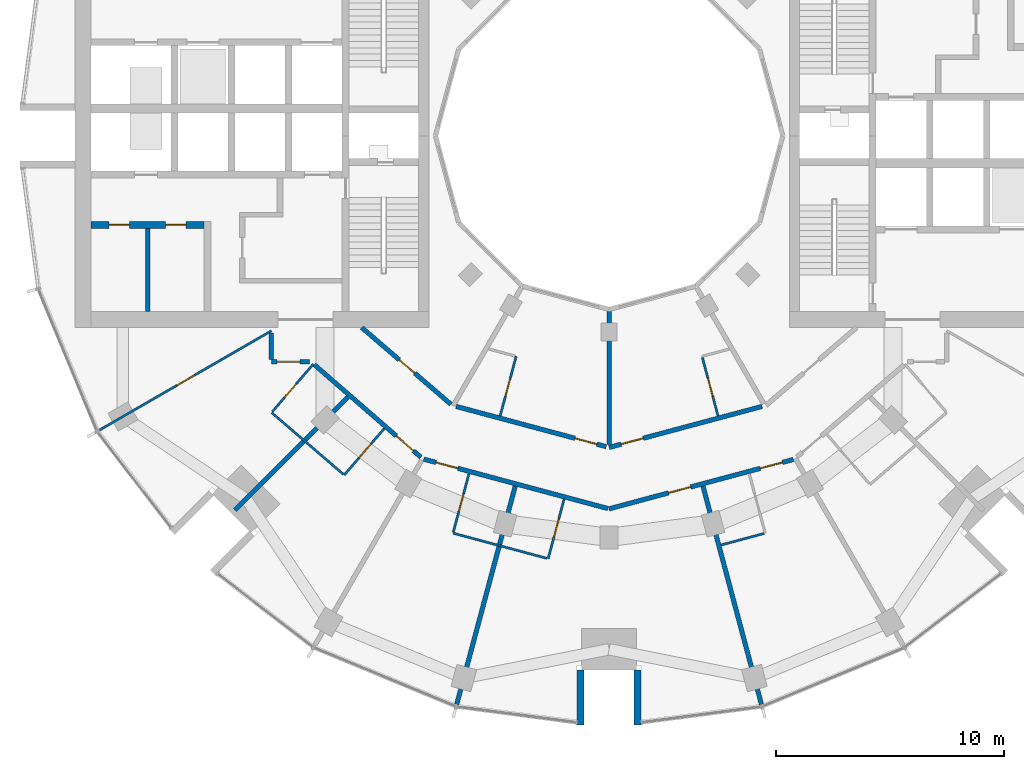
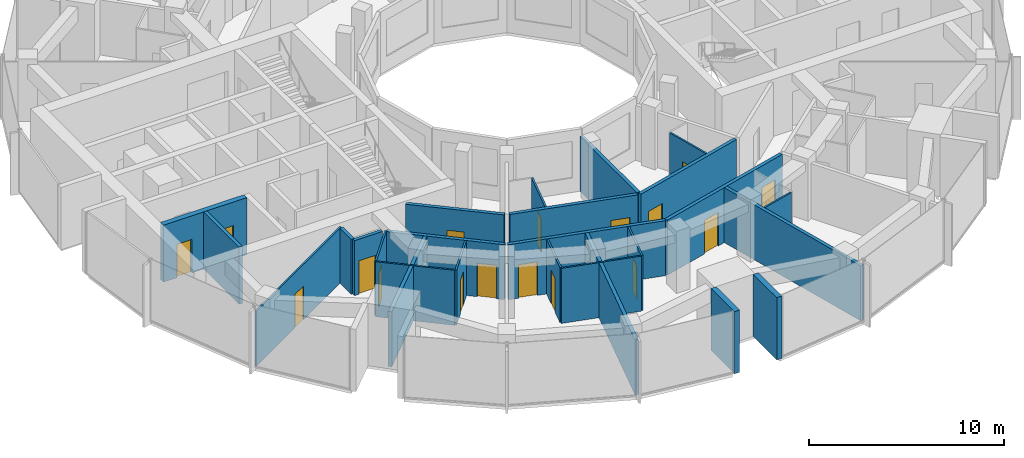
# One storey, part 8 of 15: 26 walls, 17 doors, 17 openings.
"""IFC4 building model written with IfcOpenShell, lengths in metres."""

import ifcopenshell
import ifcopenshell.guid

model = None  # the IFC model being written
_history = None  # IfcOwnerHistory: only IFC2X3 demands one
_inside = {}  # id of a spatial element -> (the spatial element, [elements in it])
_under = {}  # id of a project, library or spatial element -> (it, [spatial elements below it])
_declared = {}  # id of a project -> (the project, [libraries it declares])
_typed = {}  # id of a type object -> (the type object, [elements of that type])
_made_of = {}  # id of a material, layer set ... -> (it, [elements and type objects made of it])


def new_model(schema):
    """Start an empty IFC model of exactly this schema.

    Asked for "IFC4X3", IfcOpenShell would pick the latest addendum, in which some entities
    have other attributes; the version numbers below select the first issue.
    IFC2X3 requires an IfcOwnerHistory on every rooted entity: one is made here for all.
    """
    global model, _history
    if schema == "IFC4X3":
        model = ifcopenshell.file(schema_version=(4, 3, 0, 0))
    else:
        model = ifcopenshell.file(schema=schema)
    _inside.clear()
    _under.clear()
    _declared.clear()
    _typed.clear()
    _made_of.clear()
    _history = None
    if model.schema == "IFC2X3":
        org = make("IfcOrganization", Name="unknown")
        user = make(
            "IfcPersonAndOrganization",
            ThePerson=make("IfcPerson", FamilyName="unknown"),
            TheOrganization=org,
        )
        app = make(
            "IfcApplication",
            ApplicationDeveloper=org,
            Version="unknown",
            ApplicationFullName="unknown",
            ApplicationIdentifier="unknown",
        )
        _history = make(
            "IfcOwnerHistory",
            OwningUser=user,
            OwningApplication=app,
            ChangeAction="ADDED",
            CreationDate=0,
        )
    return model


def make(cls, **values):
    """One entity of the class cls with the attributes given. An attribute that is None is left unset."""
    return model.create_entity(
        cls, **{name: value for name, value in values.items() if value is not None}
    )


def rooted(cls, **values):
    """An entity with a GlobalId (a new one), such as an element, a storey or a relation."""
    return make(cls, GlobalId=ifcopenshell.guid.new(), OwnerHistory=_history, **values)


def si_unit(unit_type, name, prefix=None):
    """IfcSIUnit, for example si_unit("LENGTHUNIT", "METRE", prefix="MILLI")."""
    return make("IfcSIUnit", UnitType=unit_type, Prefix=prefix, Name=name)


def assignment(units):
    """IfcUnitAssignment: the units of a project."""
    return None if units is None else make("IfcUnitAssignment", Units=units)


def point(xyz):
    """IfcCartesianPoint."""
    return None if xyz is None else make("IfcCartesianPoint", Coordinates=xyz)


def direction(xyz):
    """IfcDirection."""
    return None if xyz is None else make("IfcDirection", DirectionRatios=xyz)


def frame(location, z_axis=None, x_axis=None):
    """IfcAxis2Placement3D, a coordinate frame: its origin and axes. An axis left out is left unset."""
    return make(
        "IfcAxis2Placement3D",
        Location=point(location),
        Axis=direction(z_axis),
        RefDirection=direction(x_axis),
    )


def frame_2d(location, x_axis=None):
    """IfcAxis2Placement2D, a coordinate frame in the plane: its origin and x axis."""
    return make(
        "IfcAxis2Placement2D", Location=point(location), RefDirection=direction(x_axis)
    )


def origin():
    """The frame at (0, 0, 0) with its axes left unset."""
    return frame((0.0, 0.0, 0.0))


def place(relative_to, where):
    """IfcLocalPlacement: puts the frame where relative to a parent placement (None: the world)."""
    return make(
        "IfcLocalPlacement", PlacementRelTo=relative_to, RelativePlacement=where
    )


def context(
    kind, dimensions, precision=None, world=None, true_north=None, identifier=None
):
    """IfcGeometricRepresentationContext, for example the 3D "Model" context."""
    return make(
        "IfcGeometricRepresentationContext",
        ContextIdentifier=identifier,
        ContextType=kind,
        CoordinateSpaceDimension=dimensions,
        Precision=precision,
        WorldCoordinateSystem=world,
        TrueNorth=true_north,
    )


def subcontext(parent, identifier, kind, view, scale=None):
    """IfcGeometricRepresentationSubContext, for example "Body" below "Model"."""
    return make(
        "IfcGeometricRepresentationSubContext",
        ContextIdentifier=identifier,
        ContextType=kind,
        ParentContext=parent,
        TargetScale=scale,
        TargetView=view,
    )


def project(units=None, contexts=None):
    """IfcProject with its units and contexts."""
    return rooted(
        "IfcProject",
        Name="project",
        RepresentationContexts=contexts,
        UnitsInContext=assignment(units),
    )


def spatial(cls, under=None, at=None, **own):
    """A site, building, storey or space (cls), placed at a placement, below another one or the project."""
    s = rooted(cls, ObjectPlacement=at, **own)
    if under is not None:
        _under.setdefault(under.id(), (under, []))[1].append(s)
    return s


def profile(cls, at=None, kind="AREA", **sizes):
    """A parametric profile (cls). Its sizes go by their IFC names, for example OverallWidth=200.0."""
    return make(cls, ProfileType=kind, Position=at, **sizes)


def rectangle(**sizes):
    """IfcRectangleProfileDef."""
    return profile("IfcRectangleProfileDef", **sizes)


def extrude(swept, where, along, depth):
    """IfcExtrudedAreaSolid: the profile swept, set in the frame where, extruded along a direction by depth."""
    return make(
        "IfcExtrudedAreaSolid",
        SweptArea=swept,
        Position=where,
        ExtrudedDirection=direction(along),
        Depth=depth,
    )


def shape(context_of_items, identifier, shape_type, items):
    """IfcShapeRepresentation: the items that make up one representation, for example the "Body"."""
    return make(
        "IfcShapeRepresentation",
        ContextOfItems=context_of_items,
        RepresentationIdentifier=identifier,
        RepresentationType=shape_type,
        Items=items,
    )


def material(Name=None, Category=None):
    """IfcMaterial."""
    return make("IfcMaterial", Name=Name, Category=Category)


def layer(
    of_material, thickness, ventilated=None, Name=None, Category=None, Priority=None
):
    """IfcMaterialLayer: one layer of a wall or slab, of a material (None: an air gap)."""
    return make(
        "IfcMaterialLayer",
        Material=of_material,
        LayerThickness=thickness,
        IsVentilated=ventilated,
        Name=Name,
        Category=Category,
        Priority=Priority,
    )


def layer_set(layers, Name=None):
    """IfcMaterialLayerSet."""
    return make("IfcMaterialLayerSet", MaterialLayers=layers, LayerSetName=Name)


def made_of(thing, what):
    """Note that an element or type object is made of a material, layer set ...; save() writes the relation."""
    if what is not None:
        _made_of.setdefault(what.id(), (what, []))[1].append(thing)
    return thing


def type_object(cls, material=None, **own):
    """A type object (cls), such as IfcWallType, which elements share."""
    return made_of(rooted(cls, **own), material)


def element(
    cls,
    number,
    at=None,
    inside=None,
    cuts=None,
    type_object=None,
    material=None,
    context=None,
    identifier="Body",
    shape_type=None,
    held_by="IfcProductDefinitionShape",
    body=None,
    shapes=None,
    **own,
):
    """One element of the class cls, such as IfcWall. Its Tag is "e" and its number.

    at: its placement. inside: the storey or other place that contains it. cuts: it is an
    opening in that element (IfcRelVoidsElement). A single representation is given by context,
    identifier, shape_type and body (its items); several are given by shapes. held_by: the class
    of the entity that holds the representations. save() writes the other relations.
    """
    e = rooted(cls, Tag="e%d" % number, ObjectPlacement=at, **own)
    if body is not None:
        shapes = [shape(context, identifier, shape_type, body)]
    if shapes is not None:
        e.Representation = make(held_by, Representations=shapes)
    if inside is not None:
        _inside.setdefault(inside.id(), (inside, []))[1].append(e)
    if cuts is not None:
        rooted(
            "IfcRelVoidsElement", RelatingBuildingElement=cuts, RelatedOpeningElement=e
        )
    if type_object is not None:
        _typed.setdefault(type_object.id(), (type_object, []))[1].append(e)
    return made_of(e, material)


def fill(opening, filler):
    """IfcRelFillsElement: the door or window that sits in an opening."""
    return rooted(
        "IfcRelFillsElement",
        RelatingOpeningElement=opening,
        RelatedBuildingElement=filler,
    )


def aggregate(whole, parts):
    """IfcRelAggregates: a whole, such as a stair, and the parts it consists of."""
    return rooted("IfcRelAggregates", RelatingObject=whole, RelatedObjects=parts)


def save(model, path):
    """Write the relations noted so far, then the file.

    IfcRelAggregates (storeys below a building ...), IfcRelContainedInSpatialStructure (elements
    in a storey), IfcRelDefinesByType, IfcRelAssociatesMaterial and IfcRelDeclares: one each for
    every whole, place, type object, material and project.
    """
    for whole, parts in _under.values():
        aggregate(whole, parts)
    for where, things in _inside.values():
        rooted(
            "IfcRelContainedInSpatialStructure",
            RelatedElements=things,
            RelatingStructure=where,
        )
    for kind, things in _typed.values():
        rooted("IfcRelDefinesByType", RelatedObjects=things, RelatingType=kind)
    for what, things in _made_of.values():
        rooted("IfcRelAssociatesMaterial", RelatedObjects=things, RelatingMaterial=what)
    for by, libraries in _declared.values():
        rooted("IfcRelDeclares", RelatingContext=by, RelatedDefinitions=libraries)
    model.write(path)


model = new_model("IFC4")

# Units and contexts
model_context = context("Model", 3, precision=1e-05, world=origin(), true_north=direction((0.0, 1.0)))
body_context = subcontext(model_context, "Body", "Model", "MODEL_VIEW")
ifc_project = project(units=[si_unit("LENGTHUNIT", "METRE"), si_unit("AREAUNIT", "SQUARE_METRE"), si_unit("VOLUMEUNIT", "CUBIC_METRE"), si_unit("PLANEANGLEUNIT", "RADIAN"), si_unit("MASSUNIT", "GRAM", prefix="KILO")], contexts=[model_context])

# Site, building, storey
site_placement = place(None, origin())
site = spatial("IfcSite", under=ifc_project, at=site_placement, CompositionType="ELEMENT")
building_placement = place(site_placement, origin())
building = spatial("IfcBuilding", under=site, at=building_placement, Name="Torre Brocal", CompositionType="ELEMENT")
storey_placement = place(building_placement, frame((0.0, 0.0, 122.39990234375)))
storey = spatial("IfcBuildingStorey", under=building, at=storey_placement, Name="L28", CompositionType="ELEMENT", Elevation=122.39990234375)

# Wall
ifc_material_1 = material(Name="Masonry block", Category="masonry")
ifc_layer_1 = layer(ifc_material_1, 0.199951171875)
ifc_layer_set_1 = layer_set([ifc_layer_1], Name="Masonry block")
wall_type_1 = type_object("IfcWallType", Name="CORE PARTITION 200", PredefinedType="PARTITIONING", material=ifc_layer_set_1)
wall_1_placement = place(storey_placement, frame((59.77490234375, 70.949951171875, 0.0), z_axis=(0.0, 0.0, 1.0), x_axis=(0.0, -1.0, 0.0)))
element("IfcWall", 1, at=wall_1_placement, inside=storey, type_object=wall_type_1, Name="Wall CP200", PredefinedType="PARTITIONING", context=body_context, shape_type="SweptSolid", body=[
    extrude(rectangle(XDim=3.64990234375, YDim=0.199951171875, at=frame_2d((1.824951171875, 0.0))), origin(), (0.0, 0.0, 1.0), 3.580078125),
])

# Wall, openings, doors
ifc_material_2 = material(Name="Concrete C70", Category="concrete")
ifc_layer_2 = layer(ifc_material_2, 0.300048828125)
ifc_layer_set_2 = layer_set([ifc_layer_2], Name="Concrete C70")
wall_type_2 = type_object("IfcWallType", Name="CORE WALL 300 C70", PredefinedType="SHEAR", material=ifc_layer_set_2)
wall_2_placement = place(storey_placement, frame((62.25, 71.10009765625, 0.0), z_axis=(0.0, 0.0, 1.0), x_axis=(-1.0, 0.0, 0.0)))
wall_2 = element("IfcWall", 2, at=wall_2_placement, inside=storey, type_object=wall_type_2, Name="Wall CW300-70", PredefinedType="SHEAR", context=body_context, shape_type="SweptSolid", body=[
    extrude(rectangle(XDim=4.949951171875, YDim=0.300048828125, at=frame_2d((2.47509765625, 0.0))), origin(), (0.0, 0.0, 1.0), 3.580078125),
])
opening_1_placement = place(wall_2_placement, frame((0.78759765625, 0.0, 0.0)))
opening_1 = element("IfcOpeningElement", 3, at=opening_1_placement, cuts=wall_2, Name="Opening W-D05", PredefinedType="OPENING", context=body_context, shape_type="SweptSolid", body=[
    extrude(rectangle(XDim=0.89990234375, YDim=2.10009765625, at=frame_2d((0.449951171875, 1.050048828125))), frame((0.0, 0.159912109375, 0.0), z_axis=(0.0, -1.0, 0.0), x_axis=(1.0, 0.0, 0.0)), (0.0, 0.0, 1.0), 0.320068359375),
])
opening_2_placement = place(wall_2_placement, frame((3.262451171875, 0.0, 0.0)))
opening_2 = element("IfcOpeningElement", 4, at=opening_2_placement, cuts=wall_2, Name="Opening W-D06", PredefinedType="OPENING", context=body_context, shape_type="SweptSolid", body=[
    extrude(rectangle(XDim=0.89990234375, YDim=2.10009765625, at=frame_2d((0.449951171875, 1.050048828125))), frame((0.0, 0.159912109375, 0.0), z_axis=(0.0, -1.0, 0.0), x_axis=(1.0, 0.0, 0.0)), (0.0, 0.0, 1.0), 0.320068359375),
])
ifc_material_3 = material(Name="Steel A653", Category="steel")
door_type_1 = type_object("IfcDoorType", Name="ROOM DOOR FD30S 900X2100", OperationType="SINGLE_SWING_LEFT", PredefinedType="DOOR", material=ifc_material_3)
door_1_placement = place(opening_1_placement, origin())
door_1 = element("IfcDoor", 5, at=door_1_placement, inside=storey, type_object=door_type_1, Name="Door W-D05", OperationType="SINGLE_SWING_RIGHT", OverallHeight=2.10009765625, OverallWidth=0.89990234375, PredefinedType="DOOR", context=body_context, shape_type="SweptSolid", body=[
    extrude(rectangle(XDim=0.89990234375, YDim=2.10009765625, at=frame_2d((0.449951171875, 1.050048828125))), frame((0.0, 0.02490234375, 0.0), z_axis=(0.0, -1.0, 0.0), x_axis=(1.0, 0.0, 0.0)), (0.0, 0.0, 1.0), 0.050048828125),
])
fill(opening_1, door_1)
door_2_placement = place(opening_2_placement, origin())
door_2 = element("IfcDoor", 6, at=door_2_placement, inside=storey, type_object=door_type_1, Name="Door W-D06", OperationType="SINGLE_SWING_LEFT", OverallHeight=2.10009765625, OverallWidth=0.89990234375, PredefinedType="DOOR", context=body_context, shape_type="SweptSolid", body=[
    extrude(rectangle(XDim=0.89990234375, YDim=2.10009765625, at=frame_2d((0.449951171875, 1.050048828125))), frame((0.0, 0.02490234375, 0.0), z_axis=(0.0, -1.0, 0.0), x_axis=(1.0, 0.0, 0.0)), (0.0, 0.0, 1.0), 0.050048828125),
])
fill(opening_2, door_2)

# Walls
ifc_material_4 = material(Name="Concrete C70", Category="concrete")
ifc_layer_3 = layer(ifc_material_4, 0.300048828125)
ifc_layer_set_3 = layer_set([ifc_layer_3], Name="Concrete C70")
wall_type_3 = type_object("IfcWallType", Name="NOTCH RETURN WALL 300 C70", PredefinedType="NOTDEFINED", material=ifc_layer_set_3)
for number, where, z_axis, x_axis, name in (
    (7, (78.75, 51.60009765625, 0.0), (0.0, 0.0, 1.0), (0.0, -1.0, 0.0), "NOTCH RETURN WALL"),
    (8, (81.25, 51.60009765625, 0.0), (0.0, 0.0, 1.0), (0.0, -1.0, 0.0), "NOTCH RETURN WALL"),
):
    element("IfcWall", number, at=place(storey_placement, frame(where, z_axis=z_axis, x_axis=x_axis)), inside=storey, type_object=wall_type_3, Name=name, PredefinedType="NOTDEFINED", context=body_context, shape_type="SweptSolid", body=[
        extrude(rectangle(XDim=2.415771484375, YDim=0.300048828125, at=frame_2d((1.2080078125, 0.0))), origin(), (0.0, 0.0, 1.0), 3.900146484375),
    ])

# Wall, opening, door
ifc_material_5 = material(Name="Gypsum board", Category="Gypsum")
ifc_layer_4 = layer(ifc_material_5, 0.10009765625)
ifc_layer_set_4 = layer_set([ifc_layer_4], Name="Gypsum board")
wall_type_4 = type_object("IfcWallType", Name="PARTITION 100", PredefinedType="PARTITIONING", material=ifc_layer_set_4)
wall_3_placement = place(storey_placement, frame((57.65869140625, 62.10107421875, 0.0), z_axis=(0.0, 0.0, 1.0), x_axis=(0.86602264145, 0.500004784474, 0.0)))
wall_3 = element("IfcWall", 9, at=wall_3_placement, inside=storey, type_object=wall_type_4, Name="ROOM PARTITION", PredefinedType="PARTITIONING", context=body_context, shape_type="SweptSolid", body=[
    extrude(rectangle(XDim=8.7080078125, YDim=0.10009765625, at=frame_2d((4.35400390625, 0.0))), origin(), (0.0, 0.0, 1.0), 3.4501953125),
])
opening_3_placement = place(wall_3_placement, frame((3.928955078125, 0.0, 0.0)))
opening_3 = element("IfcOpeningElement", 10, at=opening_3_placement, cuts=wall_3, Name="Opening E01-D34", PredefinedType="OPENING", context=body_context, shape_type="SweptSolid", body=[
    extrude(rectangle(XDim=0.89990234375, YDim=2.10009765625, at=frame_2d((0.449951171875, 1.050048828125))), frame((0.0, 0.06005859375, 0.0), z_axis=(0.0, -1.0, 0.0), x_axis=(1.0, 0.0, 0.0)), (0.0, 0.0, 1.0), 0.1201171875),
])
ifc_material_6 = material(Name="Timber", Category="wood")
door_type_2 = type_object("IfcDoorType", Name="ROOM DOOR 900X2100", OperationType="SINGLE_SWING_LEFT", PredefinedType="DOOR", material=ifc_material_6)
door_3_placement = place(opening_3_placement, origin())
door_3 = element("IfcDoor", 11, at=door_3_placement, inside=storey, type_object=door_type_2, Name="E01-D34", OperationType="SINGLE_SWING_RIGHT", OverallHeight=2.10009765625, OverallWidth=0.89990234375, PredefinedType="DOOR", context=body_context, shape_type="SweptSolid", body=[
    extrude(rectangle(XDim=0.89990234375, YDim=2.10009765625, at=frame_2d((0.449951171875, 1.050048828125))), frame((0.0, 0.02490234375, 0.0), z_axis=(0.0, -1.0, 0.0), x_axis=(1.0, 0.0, 0.0)), (0.0, 0.0, 1.0), 0.050048828125),
])
fill(opening_3, door_3)

wall_4_placement = place(storey_placement, frame((65.24169921875, 62.911865234375, 0.0), z_axis=(0.0, 0.0, 1.0), x_axis=(0.652069888227, 0.758158862553, 0.0)))
wall_4 = element("IfcWall", 12, at=wall_4_placement, inside=storey, type_object=wall_type_4, Name="BATHROOM WALL", PredefinedType="PARTITIONING", context=body_context, shape_type="SweptSolid", body=[
    extrude(rectangle(XDim=2.75, YDim=0.10009765625, at=frame_2d((1.375, 0.0))), origin(), (0.0, 0.0, 1.0), 3.4501953125),
])
opening_4_placement = place(wall_4_placement, frame((0.800048828125, 0.0, 0.0)))
opening_4 = element("IfcOpeningElement", 13, at=opening_4_placement, cuts=wall_4, Name="Opening E01-D33", PredefinedType="OPENING", context=body_context, shape_type="SweptSolid", body=[
    extrude(rectangle(XDim=0.800048828125, YDim=2.10009765625, at=frame_2d((0.39990234375, 1.050048828125))), frame((0.0, 0.06005859375, 0.0), z_axis=(0.0, -1.0, 0.0), x_axis=(1.0, 0.0, 0.0)), (0.0, 0.0, 1.0), 0.1201171875),
])
ifc_material_7 = material(Name="Timber", Category="wood")
door_type_3 = type_object("IfcDoorType", Name="BATHROOM DOOR 800X2100", OperationType="SINGLE_SWING_LEFT", PredefinedType="DOOR", material=ifc_material_7)
door_4_placement = place(opening_4_placement, frame((0.800048828125, 0.0, 0.0), z_axis=(0.0, 0.0, 1.0), x_axis=(-1.0, 0.0, 0.0)))
door_4 = element("IfcDoor", 14, at=door_4_placement, inside=storey, type_object=door_type_3, Name="E01-D33", OperationType="SINGLE_SWING_RIGHT", OverallHeight=2.10009765625, OverallWidth=0.800048828125, PredefinedType="DOOR", context=body_context, shape_type="SweptSolid", body=[
    extrude(rectangle(XDim=0.800048828125, YDim=2.10009765625, at=frame_2d((0.39990234375, 1.050048828125))), frame((0.0, 0.02490234375, 0.0), z_axis=(0.0, -1.0, 0.0), x_axis=(1.0, 0.0, 0.0)), (0.0, 0.0, 1.0), 0.050048828125),
])
fill(opening_4, door_4)

# Wall
wall_5_placement = place(storey_placement, frame((65.209228515625, 62.87451171875, 0.0), z_axis=(0.0, 0.0, 1.0), x_axis=(0.757930378138, -0.652335451969, 0.0)))
element("IfcWall", 15, at=wall_5_placement, inside=storey, type_object=wall_type_4, Name="BATHROOM WALL", PredefinedType="PARTITIONING", context=body_context, shape_type="SweptSolid", body=[
    extrude(rectangle(XDim=4.150146484375, YDim=0.10009765625, at=frame_2d((2.0751953125, 0.0))), origin(), (0.0, 0.0, 1.0), 3.4501953125),
])

# Wall, opening, door
wall_6_placement = place(storey_placement, frame((68.39306640625, 60.135009765625, 0.0), z_axis=(0.0, 0.0, 1.0), x_axis=(0.652061182569, 0.758166349944, 0.0)))
wall_6 = element("IfcWall", 16, at=wall_6_placement, inside=storey, type_object=wall_type_4, Name="BATHROOM WALL", PredefinedType="PARTITIONING", context=body_context, shape_type="SweptSolid", body=[
    extrude(rectangle(XDim=2.689697265625, YDim=0.10009765625, at=frame_2d((1.3447265625, 0.0))), origin(), (0.0, 0.0, 1.0), 3.4501953125),
])
opening_5_placement = place(wall_6_placement, frame((1.0, 0.0, 0.0)))
opening_5 = element("IfcOpeningElement", 17, at=opening_5_placement, cuts=wall_6, Name="Opening E01-D31", PredefinedType="OPENING", context=body_context, shape_type="SweptSolid", body=[
    extrude(rectangle(XDim=0.800048828125, YDim=2.10009765625, at=frame_2d((0.39990234375, 1.050048828125))), frame((0.0, 0.06005859375, 0.0), z_axis=(0.0, -1.0, 0.0), x_axis=(1.0, 0.0, 0.0)), (0.0, 0.0, 1.0), 0.1201171875),
])
door_5_placement = place(opening_5_placement, origin())
door_5 = element("IfcDoor", 18, at=door_5_placement, inside=storey, type_object=door_type_3, Name="E01-D31", OperationType="SINGLE_SWING_RIGHT", OverallHeight=2.10009765625, OverallWidth=0.800048828125, PredefinedType="DOOR", context=body_context, shape_type="SweptSolid", body=[
    extrude(rectangle(XDim=0.800048828125, YDim=2.10009765625, at=frame_2d((0.39990234375, 1.050048828125))), frame((0.0, 0.02490234375, 0.0), z_axis=(0.0, -1.0, 0.0), x_axis=(1.0, 0.0, 0.0)), (0.0, 0.0, 1.0), 0.050048828125),
])
fill(opening_5, door_5)

wall_7_placement = place(storey_placement, frame((73.173828125, 57.63623046875, 0.0), z_axis=(0.0, 0.0, 1.0), x_axis=(0.258952498977, 0.96589005755, 0.0)))
wall_7 = element("IfcWall", 19, at=wall_7_placement, inside=storey, type_object=wall_type_4, Name="BATHROOM WALL", PredefinedType="PARTITIONING", context=body_context, shape_type="SweptSolid", body=[
    extrude(rectangle(XDim=2.650146484375, YDim=0.10009765625, at=frame_2d((1.3251953125, 0.0))), origin(), (0.0, 0.0, 1.0), 3.4501953125),
])
opening_6_placement = place(wall_7_placement, frame((0.9501953125, 0.0, 0.0)))
opening_6 = element("IfcOpeningElement", 20, at=opening_6_placement, cuts=wall_7, Name="Opening E01-D29", PredefinedType="OPENING", context=body_context, shape_type="SweptSolid", body=[
    extrude(rectangle(XDim=0.800048828125, YDim=2.10009765625, at=frame_2d((0.39990234375, 1.050048828125))), frame((0.0, 0.06005859375, 0.0), z_axis=(0.0, -1.0, 0.0), x_axis=(1.0, 0.0, 0.0)), (0.0, 0.0, 1.0), 0.1201171875),
])
door_6_placement = place(opening_6_placement, frame((0.800048828125, 0.0, 0.0), z_axis=(0.0, 0.0, 1.0), x_axis=(-1.0, 0.0, 0.0)))
door_6 = element("IfcDoor", 21, at=door_6_placement, inside=storey, type_object=door_type_3, Name="E01-D29", OperationType="SINGLE_SWING_LEFT", OverallHeight=2.10009765625, OverallWidth=0.800048828125, PredefinedType="DOOR", context=body_context, shape_type="SweptSolid", body=[
    extrude(rectangle(XDim=0.800048828125, YDim=2.10009765625, at=frame_2d((0.39990234375, 1.050048828125))), frame((0.0, 0.02490234375, 0.0), z_axis=(0.0, -1.0, 0.0), x_axis=(1.0, 0.0, 0.0)), (0.0, 0.0, 1.0), 0.050048828125),
])
fill(opening_6, door_6)

# Wall
wall_8_placement = place(storey_placement, frame((73.1611328125, 57.58837890625, 0.0), z_axis=(0.0, 0.0, 1.0), x_axis=(0.965858226827, -0.259071198071, 0.0)))
element("IfcWall", 22, at=wall_8_placement, inside=storey, type_object=wall_type_4, Name="BATHROOM WALL", PredefinedType="PARTITIONING", context=body_context, shape_type="SweptSolid", body=[
    extrude(rectangle(XDim=4.260498046875, YDim=0.10009765625, at=frame_2d((2.13037109375, 0.0))), origin(), (0.0, 0.0, 1.0), 3.4501953125),
])

# Wall, opening, door
wall_9_placement = place(storey_placement, frame((75.226806640625, 62.728759765625, 0.0), z_axis=(0.0, 0.0, 1.0), x_axis=(0.258945475746, 0.965891940432, 0.0)))
wall_9 = element("IfcWall", 23, at=wall_9_placement, inside=storey, type_object=wall_type_4, Name="BATHROOM WALL", PredefinedType="PARTITIONING", context=body_context, shape_type="SweptSolid", body=[
    extrude(rectangle(XDim=2.7001953125, YDim=0.10009765625, at=frame_2d((1.35009765625, 0.0))), origin(), (0.0, 0.0, 1.0), 3.4501953125),
])
opening_7_placement = place(wall_9_placement, frame((0.900146484375, 0.0, 0.0)))
opening_7 = element("IfcOpeningElement", 24, at=opening_7_placement, cuts=wall_9, Name="Opening E01-D39", PredefinedType="OPENING", context=body_context, shape_type="SweptSolid", body=[
    extrude(rectangle(XDim=0.800048828125, YDim=2.10009765625, at=frame_2d((0.39990234375, 1.050048828125))), frame((0.0, 0.06005859375, 0.0), z_axis=(0.0, -1.0, 0.0), x_axis=(1.0, 0.0, 0.0)), (0.0, 0.0, 1.0), 0.1201171875),
])
door_7_placement = place(opening_7_placement, origin())
door_7 = element("IfcDoor", 25, at=door_7_placement, inside=storey, type_object=door_type_3, Name="E01-D39", OperationType="SINGLE_SWING_LEFT", OverallHeight=2.10009765625, OverallWidth=0.800048828125, PredefinedType="DOOR", context=body_context, shape_type="SweptSolid", body=[
    extrude(rectangle(XDim=0.800048828125, YDim=2.10009765625, at=frame_2d((0.39990234375, 1.050048828125))), frame((0.0, 0.02490234375, 0.0), z_axis=(0.0, -1.0, 0.0), x_axis=(1.0, 0.0, 0.0)), (0.0, 0.0, 1.0), 0.050048828125),
])
fill(opening_7, door_7)

wall_10_placement = place(storey_placement, frame((77.32861328125, 56.47119140625, 0.0), z_axis=(0.0, 0.0, 1.0), x_axis=(0.259013334072, 0.965873745773, 0.0)))
wall_10 = element("IfcWall", 26, at=wall_10_placement, inside=storey, type_object=wall_type_4, Name="BATHROOM WALL", PredefinedType="PARTITIONING", context=body_context, shape_type="SweptSolid", body=[
    extrude(rectangle(XDim=2.699462890625, YDim=0.10009765625, at=frame_2d((1.349609375, 0.0))), origin(), (0.0, 0.0, 1.0), 3.4501953125),
])
opening_8_placement = place(wall_10_placement, frame((0.999755859375, 0.0, 0.0)))
opening_8 = element("IfcOpeningElement", 27, at=opening_8_placement, cuts=wall_10, Name="Opening E01-D27", PredefinedType="OPENING", context=body_context, shape_type="SweptSolid", body=[
    extrude(rectangle(XDim=0.800048828125, YDim=2.10009765625, at=frame_2d((0.39990234375, 1.050048828125))), frame((0.0, 0.06005859375, 0.0), z_axis=(0.0, -1.0, 0.0), x_axis=(1.0, 0.0, 0.0)), (0.0, 0.0, 1.0), 0.1201171875),
])
door_8_placement = place(opening_8_placement, origin())
door_8 = element("IfcDoor", 28, at=door_8_placement, inside=storey, type_object=door_type_3, Name="E01-D27", OperationType="SINGLE_SWING_RIGHT", OverallHeight=2.10009765625, OverallWidth=0.800048828125, PredefinedType="DOOR", context=body_context, shape_type="SweptSolid", body=[
    extrude(rectangle(XDim=0.800048828125, YDim=2.10009765625, at=frame_2d((0.39990234375, 1.050048828125))), frame((0.0, 0.02490234375, 0.0), z_axis=(0.0, -1.0, 0.0), x_axis=(1.0, 0.0, 0.0)), (0.0, 0.0, 1.0), 0.050048828125),
])
fill(opening_8, door_8)

wall_11_placement = place(storey_placement, frame((84.0869140625, 65.288818359375, 0.0), z_axis=(0.0, 0.0, 1.0), x_axis=(0.258929459649, -0.965896234037, 0.0)))
wall_11 = element("IfcWall", 29, at=wall_11_placement, inside=storey, type_object=wall_type_4, Name="BATHROOM WALL", PredefinedType="PARTITIONING", context=body_context, shape_type="SweptSolid", body=[
    extrude(rectangle(XDim=2.650390625, YDim=0.10009765625, at=frame_2d((1.3251953125, 0.0))), origin(), (0.0, 0.0, 1.0), 3.4501953125),
])
opening_9_placement = place(wall_11_placement, frame((0.9501953125, 0.0, 0.0)))
opening_9 = element("IfcOpeningElement", 30, at=opening_9_placement, cuts=wall_11, Name="Opening E01-D37", PredefinedType="OPENING", context=body_context, shape_type="SweptSolid", body=[
    extrude(rectangle(XDim=0.800048828125, YDim=2.10009765625, at=frame_2d((0.39990234375, 1.050048828125))), frame((0.0, 0.06005859375, 0.0), z_axis=(0.0, -1.0, 0.0), x_axis=(1.0, 0.0, 0.0)), (0.0, 0.0, 1.0), 0.1201171875),
])
door_9_placement = place(opening_9_placement, origin())
door_9 = element("IfcDoor", 31, at=door_9_placement, inside=storey, type_object=door_type_3, Name="E01-D37", OperationType="SINGLE_SWING_RIGHT", OverallHeight=2.10009765625, OverallWidth=0.800048828125, PredefinedType="DOOR", context=body_context, shape_type="SweptSolid", body=[
    extrude(rectangle(XDim=0.800048828125, YDim=2.10009765625, at=frame_2d((0.39990234375, 1.050048828125))), frame((0.0, 0.02490234375, 0.0), z_axis=(0.0, -1.0, 0.0), x_axis=(1.0, 0.0, 0.0)), (0.0, 0.0, 1.0), 0.050048828125),
])
fill(opening_9, door_9)

# Walls
wall_12_placement = place(storey_placement, frame((84.90771484375, 57.06982421875, 0.0), z_axis=(0.0, 0.0, 1.0), x_axis=(0.965853538138, 0.25908867761, 0.0)))
element("IfcWall", 32, at=wall_12_placement, inside=storey, type_object=wall_type_4, Name="BATHROOM WALL", PredefinedType="PARTITIONING", context=body_context, shape_type="SweptSolid", body=[
    extrude(rectangle(XDim=1.94970703125, YDim=0.10009765625, at=frame_2d((0.974853515625, 0.0))), origin(), (0.0, 0.0, 1.0), 3.4501953125),
])
ifc_material_8 = material(Name="Gypsum board", Category="Gypsum")
ifc_layer_5 = layer(ifc_material_8, 0.199951171875)
ifc_layer_set_5 = layer_set([ifc_layer_5], Name="Gypsum board")
wall_type_5 = type_object("IfcWallType", Name="PARTITION 200 EI60", PredefinedType="PARTITIONING", material=ifc_layer_set_5)
wall_13_placement = place(storey_placement, frame((63.595703125, 58.595703125, 0.0), z_axis=(0.0, 0.0, 1.0), x_axis=(0.707106781187, 0.707106781187, 0.0)))
element("IfcWall", 33, at=wall_13_placement, inside=storey, type_object=wall_type_5, Name="BATHROOM WALL", PredefinedType="PARTITIONING", context=body_context, shape_type="SweptSolid", body=[
    extrude(rectangle(XDim=7.00537109375, YDim=0.199951171875, at=frame_2d((3.502685546875, 0.0))), origin(), (0.0, 0.0, 1.0), 3.4501953125),
])
wall_14_placement = place(storey_placement, frame((65.199951171875, 65.199951171875, 0.0), z_axis=(0.0, 0.0, 1.0), x_axis=(0.0, 1.0, 0.0)))
element("IfcWall", 34, at=wall_14_placement, inside=storey, type_object=wall_type_5, Name="GUESTROOM CORRIDOR WALL", PredefinedType="PARTITIONING", context=body_context, shape_type="SweptSolid", body=[
    extrude(rectangle(XDim=1.150146484375, YDim=0.199951171875, at=frame_2d((0.5751953125, 0.0))), origin(), (0.0, 0.0, 1.0), 3.4501953125),
])

# Wall, opening, door
wall_15_placement = place(storey_placement, frame((65.199951171875, 65.10009765625, 0.0), z_axis=(0.0, 0.0, 1.0), x_axis=(1.0, 0.0, 0.0)))
wall_15 = element("IfcWall", 35, at=wall_15_placement, inside=storey, type_object=wall_type_5, Name="GUESTROOM CORRIDOR WALL", PredefinedType="PARTITIONING", context=body_context, shape_type="SweptSolid", body=[
    extrude(rectangle(XDim=1.6650390625, YDim=0.199951171875, at=frame_2d((0.83251953125, 0.0))), origin(), (0.0, 0.0, 1.0), 3.4501953125),
])
opening_10_placement = place(wall_15_placement, frame((0.25, 0.0, 0.0)))
opening_10 = element("IfcOpeningElement", 36, at=opening_10_placement, cuts=wall_15, Name="Opening E01-D32", PredefinedType="OPENING", context=body_context, shape_type="SweptSolid", body=[
    extrude(rectangle(XDim=1.0, YDim=2.10009765625, at=frame_2d((0.5, 1.050048828125))), frame((0.0, 0.10986328125, 0.0), z_axis=(0.0, -1.0, 0.0), x_axis=(1.0, 0.0, 0.0)), (0.0, 0.0, 1.0), 0.219970703125),
])
ifc_material_9 = material(Name="Timber", Category="wood")
door_type_4 = type_object("IfcDoorType", Name="FLAT ENTRY DOOR FD30S 1000X2100", OperationType="SINGLE_SWING_RIGHT", PredefinedType="DOOR", material=ifc_material_9)
door_10_placement = place(opening_10_placement, frame((1.0, 0.0, 0.0), z_axis=(0.0, 0.0, 1.0), x_axis=(-1.0, 0.0, 0.0)))
door_10 = element("IfcDoor", 37, at=door_10_placement, inside=storey, type_object=door_type_4, Name="E01-D32", OperationType="SINGLE_SWING_RIGHT", OverallHeight=2.10009765625, OverallWidth=1.0, PredefinedType="DOOR", context=body_context, shape_type="SweptSolid", body=[
    extrude(rectangle(XDim=1.0, YDim=2.10009765625, at=frame_2d((0.5, 1.050048828125))), frame((0.0, 0.02490234375, 0.0), z_axis=(0.0, -1.0, 0.0), x_axis=(1.0, 0.0, 0.0)), (0.0, 0.0, 1.0), 0.050048828125),
])
fill(opening_10, door_10)

wall_16_placement = place(storey_placement, frame((67.081298828125, 64.97119140625, 0.0), z_axis=(0.0, 0.0, 1.0), x_axis=(0.755031061605, -0.65568902386, 0.0)))
wall_16 = element("IfcWall", 38, at=wall_16_placement, inside=storey, type_object=wall_type_5, Name="GUESTROOM CORRIDOR WALL", PredefinedType="PARTITIONING", context=body_context, shape_type="SweptSolid", body=[
    extrude(rectangle(XDim=6.185791015625, YDim=0.199951171875, at=frame_2d((3.0927734375, 0.0))), origin(), (0.0, 0.0, 1.0), 3.4501953125),
])
opening_11_placement = place(wall_16_placement, frame((4.755126953125, 0.0, 0.0)))
opening_11 = element("IfcOpeningElement", 39, at=opening_11_placement, cuts=wall_16, Name="Opening E01-D30", PredefinedType="OPENING", context=body_context, shape_type="SweptSolid", body=[
    extrude(rectangle(XDim=1.0, YDim=2.10009765625, at=frame_2d((0.5, 1.050048828125))), frame((0.0, 0.10986328125, 0.0), z_axis=(0.0, -1.0, 0.0), x_axis=(1.0, 0.0, 0.0)), (0.0, 0.0, 1.0), 0.219970703125),
])
door_11_placement = place(opening_11_placement, frame((1.0, 0.0, 0.0), z_axis=(0.0, 0.0, 1.0), x_axis=(-1.0, 0.0, 0.0)))
door_11 = element("IfcDoor", 40, at=door_11_placement, inside=storey, type_object=door_type_4, Name="E01-D30", OperationType="SINGLE_SWING_LEFT", OverallHeight=2.10009765625, OverallWidth=1.0, PredefinedType="DOOR", context=body_context, shape_type="SweptSolid", body=[
    extrude(rectangle(XDim=1.0, YDim=2.10009765625, at=frame_2d((0.5, 1.050048828125))), frame((0.0, 0.02490234375, 0.0), z_axis=(0.0, -1.0, 0.0), x_axis=(1.0, 0.0, 0.0)), (0.0, 0.0, 1.0), 0.050048828125),
])
fill(opening_11, door_11)

wall_17_placement = place(storey_placement, frame((69.157958984375, 66.60009765625, 0.0), z_axis=(0.0, 0.0, 1.0), x_axis=(0.758063092745, -0.652181222835, 0.0)))
wall_17 = element("IfcWall", 41, at=wall_17_placement, inside=storey, type_object=wall_type_5, Name="CORRIDOR WALL", PredefinedType="PARTITIONING", context=body_context, shape_type="SweptSolid", body=[
    extrude(rectangle(XDim=5.160400390625, YDim=0.199951171875, at=frame_2d((2.580078125, 0.0))), origin(), (0.0, 0.0, 1.0), 3.4501953125),
])
opening_12_placement = place(wall_17_placement, frame((2.165283203125, 0.0, 0.0)))
opening_12 = element("IfcOpeningElement", 42, at=opening_12_placement, cuts=wall_17, Name="Opening E01-D40", PredefinedType="OPENING", context=body_context, shape_type="SweptSolid", body=[
    extrude(rectangle(XDim=0.89990234375, YDim=2.10009765625, at=frame_2d((0.449951171875, 1.050048828125))), frame((0.0, 0.10986328125, 0.0), z_axis=(0.0, -1.0, 0.0), x_axis=(1.0, 0.0, 0.0)), (0.0, 0.0, 1.0), 0.219970703125),
])
door_12_placement = place(opening_12_placement, origin())
door_12 = element("IfcDoor", 43, at=door_12_placement, inside=storey, type_object=door_type_2, Name="E01-D40", OperationType="SINGLE_SWING_LEFT", OverallHeight=2.10009765625, OverallWidth=0.89990234375, PredefinedType="DOOR", context=body_context, shape_type="SweptSolid", body=[
    extrude(rectangle(XDim=0.89990234375, YDim=2.10009765625, at=frame_2d((0.449951171875, 1.050048828125))), frame((0.0, 0.02490234375, 0.0), z_axis=(0.0, -1.0, 0.0), x_axis=(1.0, 0.0, 0.0)), (0.0, 0.0, 1.0), 0.050048828125),
])
fill(opening_12, door_12)

wall_18_placement = place(storey_placement, frame((71.877197265625, 60.831787109375, 0.0), z_axis=(0.0, 0.0, 1.0), x_axis=(0.965857276008, -0.259074742848, 0.0)))
wall_18 = element("IfcWall", 44, at=wall_18_placement, inside=storey, type_object=wall_type_5, Name="GUESTROOM CORRIDOR WALL", PredefinedType="PARTITIONING", context=body_context, shape_type="SweptSolid", body=[
    extrude(rectangle(XDim=8.359619140625, YDim=0.199951171875, at=frame_2d((4.1796875, 0.0))), origin(), (0.0, 0.0, 1.0), 3.4501953125),
])
opening_13_placement = place(wall_18_placement, frame((0.550048828125, 0.0, 0.0)))
opening_13 = element("IfcOpeningElement", 45, at=opening_13_placement, cuts=wall_18, Name="Opening E01-D28", PredefinedType="OPENING", context=body_context, shape_type="SweptSolid", body=[
    extrude(rectangle(XDim=1.0, YDim=2.10009765625, at=frame_2d((0.5, 1.050048828125))), frame((0.0, 0.10986328125, 0.0), z_axis=(0.0, -1.0, 0.0), x_axis=(1.0, 0.0, 0.0)), (0.0, 0.0, 1.0), 0.219970703125),
])
door_13_placement = place(opening_13_placement, frame((1.0, 0.0, 0.0), z_axis=(0.0, 0.0, 1.0), x_axis=(-1.0, 0.0, 0.0)))
door_13 = element("IfcDoor", 46, at=door_13_placement, inside=storey, type_object=door_type_4, Name="E01-D28", OperationType="SINGLE_SWING_LEFT", OverallHeight=2.10009765625, OverallWidth=1.0, PredefinedType="DOOR", context=body_context, shape_type="SweptSolid", body=[
    extrude(rectangle(XDim=1.0, YDim=2.10009765625, at=frame_2d((0.5, 1.050048828125))), frame((0.0, 0.02490234375, 0.0), z_axis=(0.0, -1.0, 0.0), x_axis=(1.0, 0.0, 0.0)), (0.0, 0.0, 1.0), 0.050048828125),
])
fill(opening_13, door_13)

wall_19_placement = place(storey_placement, frame((73.296875, 63.142578125, 0.0), z_axis=(0.0, 0.0, 1.0), x_axis=(0.965859030528, -0.25906820173, 0.0)))
wall_19 = element("IfcWall", 47, at=wall_19_placement, inside=storey, type_object=wall_type_5, Name="GUESTROOM CORRIDOR WALL", PredefinedType="PARTITIONING", context=body_context, shape_type="SweptSolid", body=[
    extrude(rectangle(XDim=6.8095703125, YDim=0.199951171875, at=frame_2d((3.40478515625, 0.0))), origin(), (0.0, 0.0, 1.0), 3.4501953125),
])
opening_14_placement = place(wall_19_placement, frame((5.3896484375, 0.0, 0.0)))
opening_14 = element("IfcOpeningElement", 48, at=opening_14_placement, cuts=wall_19, Name="Opening E01-D38", PredefinedType="OPENING", context=body_context, shape_type="SweptSolid", body=[
    extrude(rectangle(XDim=1.0, YDim=2.10009765625, at=frame_2d((0.5, 1.050048828125))), frame((0.0, 0.10986328125, 0.0), z_axis=(0.0, -1.0, 0.0), x_axis=(1.0, 0.0, 0.0)), (0.0, 0.0, 1.0), 0.219970703125),
])
door_14_placement = place(opening_14_placement, origin())
door_14 = element("IfcDoor", 49, at=door_14_placement, inside=storey, type_object=door_type_4, Name="E01-D38", OperationType="SINGLE_SWING_RIGHT", OverallHeight=2.10009765625, OverallWidth=1.0, PredefinedType="DOOR", context=body_context, shape_type="SweptSolid", body=[
    extrude(rectangle(XDim=1.0, YDim=2.10009765625, at=frame_2d((0.5, 1.050048828125))), frame((0.0, 0.02490234375, 0.0), z_axis=(0.0, -1.0, 0.0), x_axis=(1.0, 0.0, 0.0)), (0.0, 0.0, 1.0), 0.050048828125),
])
fill(opening_14, door_14)

# Wall
wall_20_placement = place(storey_placement, frame((73.32080078125, 50.082275390625, 0.0), z_axis=(0.0, 0.0, 1.0), x_axis=(0.259057928998, 0.96586178588, 0.0)))
element("IfcWall", 50, at=wall_20_placement, inside=storey, type_object=wall_type_5, Name="BATHROOM WALL", PredefinedType="PARTITIONING", context=body_context, shape_type="SweptSolid", body=[
    extrude(rectangle(XDim=9.90869140625, YDim=0.199951171875, at=frame_2d((4.954345703125, 0.0))), origin(), (0.0, 0.0, 1.0), 3.4501953125),
])

# Wall, openings, doors
wall_21_placement = place(storey_placement, frame((79.999755859375, 58.65478515625, 0.0), z_axis=(0.0, 0.0, 1.0), x_axis=(0.965967338894, 0.258664068224, 0.0)))
wall_21 = element("IfcWall", 51, at=wall_21_placement, inside=storey, type_object=wall_type_5, Name="GUESTROOM CORRIDOR WALL", PredefinedType="PARTITIONING", context=body_context, shape_type="SweptSolid", body=[
    extrude(rectangle(XDim=8.359619140625, YDim=0.199951171875, at=frame_2d((4.1796875, 0.0))), origin(), (0.0, 0.0, 1.0), 3.4501953125),
])
opening_15_placement = place(wall_21_placement, frame((6.859619140625, 0.0, 0.0)))
opening_15 = element("IfcOpeningElement", 52, at=opening_15_placement, cuts=wall_21, Name="Opening E01-D24", PredefinedType="OPENING", context=body_context, shape_type="SweptSolid", body=[
    extrude(rectangle(XDim=1.0, YDim=2.10009765625, at=frame_2d((0.5, 1.050048828125))), frame((0.0, 0.10986328125, 0.0), z_axis=(0.0, -1.0, 0.0), x_axis=(1.0, 0.0, 0.0)), (0.0, 0.0, 1.0), 0.219970703125),
])
opening_16_placement = place(wall_21_placement, frame((2.69970703125, 0.0, 0.0)))
opening_16 = element("IfcOpeningElement", 53, at=opening_16_placement, cuts=wall_21, Name="Opening E01-D26", PredefinedType="OPENING", context=body_context, shape_type="SweptSolid", body=[
    extrude(rectangle(XDim=1.0, YDim=2.10009765625, at=frame_2d((0.5, 1.050048828125))), frame((0.0, 0.10986328125, 0.0), z_axis=(0.0, -1.0, 0.0), x_axis=(1.0, 0.0, 0.0)), (0.0, 0.0, 1.0), 0.219970703125),
])
door_15_placement = place(opening_15_placement, frame((1.0, 0.0, 0.0), z_axis=(0.0, 0.0, 1.0), x_axis=(-1.0, 0.0, 0.0)))
door_15 = element("IfcDoor", 54, at=door_15_placement, inside=storey, type_object=door_type_4, Name="E01-D24", OperationType="SINGLE_SWING_RIGHT", OverallHeight=2.10009765625, OverallWidth=1.0, PredefinedType="DOOR", context=body_context, shape_type="SweptSolid", body=[
    extrude(rectangle(XDim=1.0, YDim=2.10009765625, at=frame_2d((0.5, 1.050048828125))), frame((0.0, 0.02490234375, 0.0), z_axis=(0.0, -1.0, 0.0), x_axis=(1.0, 0.0, 0.0)), (0.0, 0.0, 1.0), 0.050048828125),
])
fill(opening_15, door_15)
door_16_placement = place(opening_16_placement, frame((1.0, 0.0, 0.0), z_axis=(0.0, 0.0, 1.0), x_axis=(-1.0, 0.0, 0.0)))
door_16 = element("IfcDoor", 55, at=door_16_placement, inside=storey, type_object=door_type_4, Name="E01-D26", OperationType="SINGLE_SWING_LEFT", OverallHeight=2.10009765625, OverallWidth=1.0, PredefinedType="DOOR", context=body_context, shape_type="SweptSolid", body=[
    extrude(rectangle(XDim=1.0, YDim=2.10009765625, at=frame_2d((0.5, 1.050048828125))), frame((0.0, 0.02490234375, 0.0), z_axis=(0.0, -1.0, 0.0), x_axis=(1.0, 0.0, 0.0)), (0.0, 0.0, 1.0), 0.050048828125),
])
fill(opening_16, door_16)

# Wall
wall_22_placement = place(storey_placement, frame((80.0, 61.47607421875, 0.0), z_axis=(0.0, 0.0, 1.0), x_axis=(0.0, 1.0, 0.0)))
element("IfcWall", 56, at=wall_22_placement, inside=storey, type_object=wall_type_5, Name="PARTY PARTITION", PredefinedType="PARTITIONING", context=body_context, shape_type="SweptSolid", body=[
    extrude(rectangle(XDim=5.824951171875, YDim=0.199951171875, at=frame_2d((2.91259765625, 0.0))), origin(), (0.0, 0.0, 1.0), 3.4501953125),
])

# Wall, opening, door
wall_23_placement = place(storey_placement, frame((80.0, 61.345947265625, 0.0), z_axis=(0.0, 0.0, 1.0), x_axis=(0.965924181808, 0.258825182312, 0.0)))
wall_23 = element("IfcWall", 57, at=wall_23_placement, inside=storey, type_object=wall_type_5, Name="GUESTROOM CORRIDOR WALL", PredefinedType="PARTITIONING", context=body_context, shape_type="SweptSolid", body=[
    extrude(rectangle(XDim=6.939697265625, YDim=0.199951171875, at=frame_2d((3.4697265625, 0.0))), origin(), (0.0, 0.0, 1.0), 3.4501953125),
])
opening_17_placement = place(wall_23_placement, frame((0.550048828125, 0.0, 0.0)))
opening_17 = element("IfcOpeningElement", 58, at=opening_17_placement, cuts=wall_23, Name="Opening E01-D36", PredefinedType="OPENING", context=body_context, shape_type="SweptSolid", body=[
    extrude(rectangle(XDim=1.0, YDim=2.10009765625, at=frame_2d((0.5, 1.050048828125))), frame((0.0, 0.10986328125, 0.0), z_axis=(0.0, -1.0, 0.0), x_axis=(1.0, 0.0, 0.0)), (0.0, 0.0, 1.0), 0.219970703125),
])
door_17_placement = place(opening_17_placement, origin())
door_17 = element("IfcDoor", 59, at=door_17_placement, inside=storey, type_object=door_type_4, Name="E01-D36", OperationType="SINGLE_SWING_LEFT", OverallHeight=2.10009765625, OverallWidth=1.0, PredefinedType="DOOR", context=body_context, shape_type="SweptSolid", body=[
    extrude(rectangle(XDim=1.0, YDim=2.10009765625, at=frame_2d((0.5, 1.050048828125))), frame((0.0, 0.02490234375, 0.0), z_axis=(0.0, -1.0, 0.0), x_axis=(1.0, 0.0, 0.0)), (0.0, 0.0, 1.0), 0.050048828125),
])
fill(opening_17, door_17)

# Wall
wall_24_placement = place(storey_placement, frame((84.11181640625, 59.65234375, 0.0), z_axis=(0.0, 0.0, 1.0), x_axis=(0.258838718107, -0.965920554709, 0.0)))
element("IfcWall", 60, at=wall_24_placement, inside=storey, type_object=wall_type_5, Name="BATHROOM WALL", PredefinedType="PARTITIONING", context=body_context, shape_type="SweptSolid", body=[
    extrude(rectangle(XDim=9.908447265625, YDim=0.199951171875, at=frame_2d((4.9541015625, 0.0))), origin(), (0.0, 0.0, 1.0), 3.4501953125),
])

save(model, "model.ifc")
